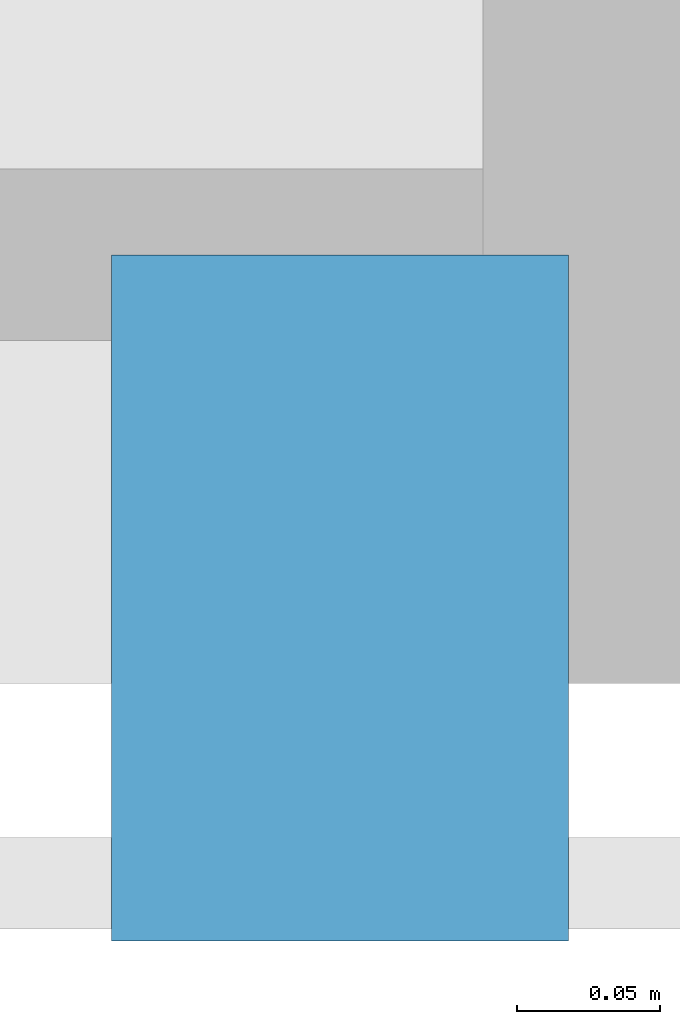
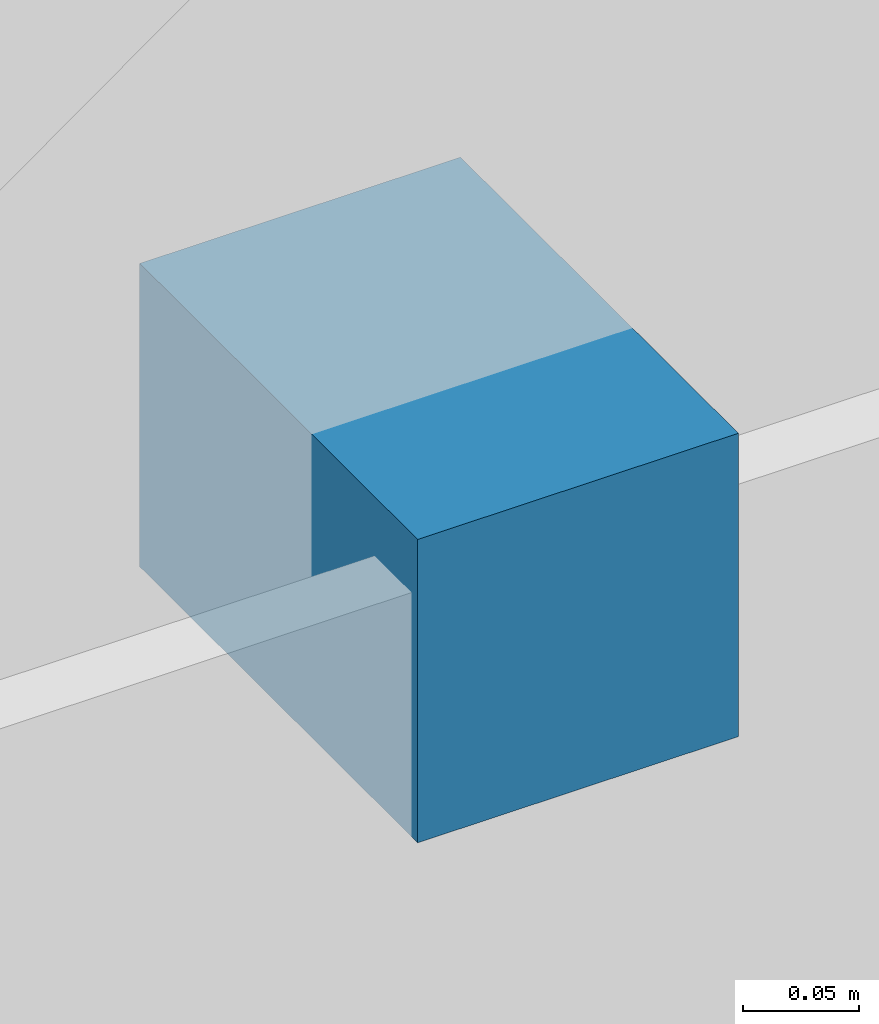
# One storey, part 144 of 163: 1 discrete accessory.
"""IFC4 building model written with IfcOpenShell, lengths in metres."""

from ifc_helpers import new_model, si_unit, direction, frame, origin, origin_2d, place, context, subcontext, project, spatial, rectangle, extrude, material, type_object, element, save


model = new_model("IFC4")

# Units and contexts
model_context = context("Model", 3, precision=1e-05, world=origin(), true_north=direction((0.0, 1.0)))
body_context = subcontext(model_context, "Body", "Model", "MODEL_VIEW")
ifc_project = project(units=[si_unit("LENGTHUNIT", "METRE"), si_unit("AREAUNIT", "SQUARE_METRE"), si_unit("VOLUMEUNIT", "CUBIC_METRE"), si_unit("PLANEANGLEUNIT", "RADIAN"), si_unit("MASSUNIT", "GRAM", prefix="KILO")], contexts=[model_context])

# Site, building, storey
site_placement = place(None, origin())
site = spatial("IfcSite", under=ifc_project, at=site_placement, CompositionType="ELEMENT")
building_placement = place(site_placement, origin())
building = spatial("IfcBuilding", under=site, at=building_placement, Name="Qalvenar Corner Mobility Hub", CompositionType="ELEMENT")
storey_placement = place(building_placement, frame((0.0, 0.0, 4.800048828125)))
storey = spatial("IfcBuildingStorey", under=building, at=storey_placement, Name="L01", CompositionType="ELEMENT", Elevation=4.800048828125)

# Discrete accessory
ifc_material = material(Name="Steel S355", Category="steel")
discrete_accessory_type = type_object("IfcDiscreteAccessoryType", Name="ACC-HINGE-BRK", PredefinedType="BRACKET", material=ifc_material)
discrete_accessory_placement = place(storey_placement, frame((113.39990234375, -0.1201171875, 2.97021484375), z_axis=(0.0, 0.0, 1.0), x_axis=(1.0, 0.0, 0.0)))
element("IfcDiscreteAccessory", 1, at=discrete_accessory_placement, inside=storey, type_object=discrete_accessory_type, Name="Workshop Louvre Bracket BKV6-L01-0", PredefinedType="BRACKET", context=body_context, shape_type="SweptSolid", body=[
    extrude(rectangle(XDim=0.159912109375, YDim=0.239990234375, at=origin_2d()), origin(), (0.0, 0.0, 1.0), 0.159912109375),
])

save(model, "model.ifc")
